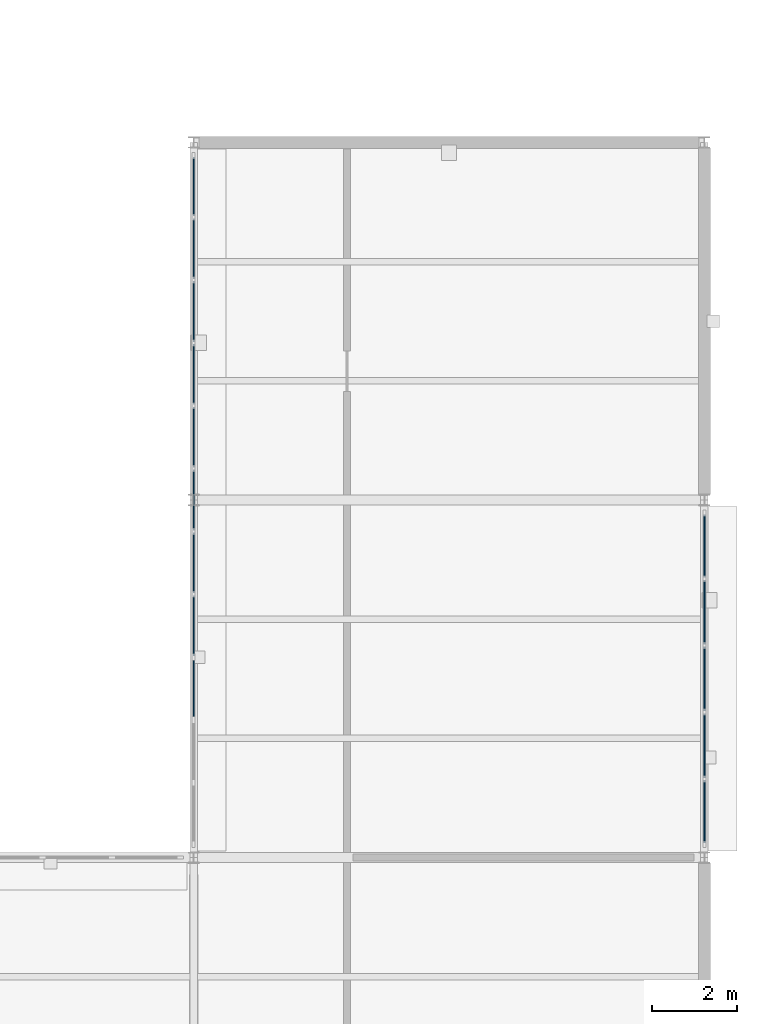
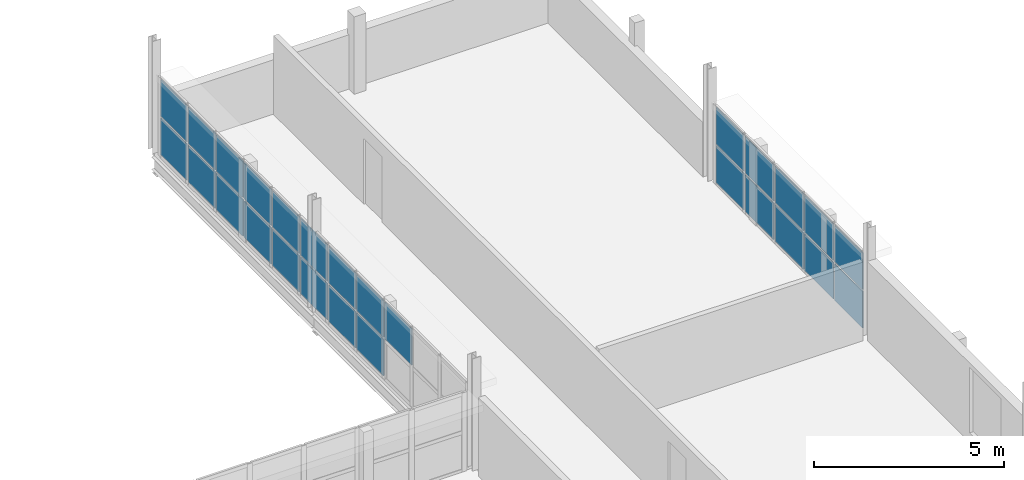
# One storey, part 53 of 79: 27 plates, 2 elements without a shape of their own.
"""IFC4 building model written with IfcOpenShell, lengths in metres."""

import ifcopenshell
import ifcopenshell.guid

model = None  # the IFC model being written
_history = None  # IfcOwnerHistory: only IFC2X3 demands one
_inside = {}  # id of a spatial element -> (the spatial element, [elements in it])
_under = {}  # id of a project, library or spatial element -> (it, [spatial elements below it])
_declared = {}  # id of a project -> (the project, [libraries it declares])
_typed = {}  # id of a type object -> (the type object, [elements of that type])
_made_of = {}  # id of a material, layer set ... -> (it, [elements and type objects made of it])


def new_model(schema):
    """Start an empty IFC model of exactly this schema.

    Asked for "IFC4X3", IfcOpenShell would pick the latest addendum, in which some entities
    have other attributes; the version numbers below select the first issue.
    IFC2X3 requires an IfcOwnerHistory on every rooted entity: one is made here for all.
    """
    global model, _history
    if schema == "IFC4X3":
        model = ifcopenshell.file(schema_version=(4, 3, 0, 0))
    else:
        model = ifcopenshell.file(schema=schema)
    _inside.clear()
    _under.clear()
    _declared.clear()
    _typed.clear()
    _made_of.clear()
    _history = None
    if model.schema == "IFC2X3":
        org = make("IfcOrganization", Name="unknown")
        user = make(
            "IfcPersonAndOrganization",
            ThePerson=make("IfcPerson", FamilyName="unknown"),
            TheOrganization=org,
        )
        app = make(
            "IfcApplication",
            ApplicationDeveloper=org,
            Version="unknown",
            ApplicationFullName="unknown",
            ApplicationIdentifier="unknown",
        )
        _history = make(
            "IfcOwnerHistory",
            OwningUser=user,
            OwningApplication=app,
            ChangeAction="ADDED",
            CreationDate=0,
        )
    return model


def make(cls, **values):
    """One entity of the class cls with the attributes given. An attribute that is None is left unset."""
    return model.create_entity(
        cls, **{name: value for name, value in values.items() if value is not None}
    )


def rooted(cls, **values):
    """An entity with a GlobalId (a new one), such as an element, a storey or a relation."""
    return make(cls, GlobalId=ifcopenshell.guid.new(), OwnerHistory=_history, **values)


def si_unit(unit_type, name, prefix=None):
    """IfcSIUnit, for example si_unit("LENGTHUNIT", "METRE", prefix="MILLI")."""
    return make("IfcSIUnit", UnitType=unit_type, Prefix=prefix, Name=name)


def assignment(units):
    """IfcUnitAssignment: the units of a project."""
    return None if units is None else make("IfcUnitAssignment", Units=units)


def point(xyz):
    """IfcCartesianPoint."""
    return None if xyz is None else make("IfcCartesianPoint", Coordinates=xyz)


def direction(xyz):
    """IfcDirection."""
    return None if xyz is None else make("IfcDirection", DirectionRatios=xyz)


def frame(location, z_axis=None, x_axis=None):
    """IfcAxis2Placement3D, a coordinate frame: its origin and axes. An axis left out is left unset."""
    return make(
        "IfcAxis2Placement3D",
        Location=point(location),
        Axis=direction(z_axis),
        RefDirection=direction(x_axis),
    )


def frame_2d(location, x_axis=None):
    """IfcAxis2Placement2D, a coordinate frame in the plane: its origin and x axis."""
    return make(
        "IfcAxis2Placement2D", Location=point(location), RefDirection=direction(x_axis)
    )


def origin():
    """The frame at (0, 0, 0) with its axes left unset."""
    return frame((0.0, 0.0, 0.0))


def origin_2d():
    """The frame at (0, 0) in the plane with its x axis left unset."""
    return frame_2d((0.0, 0.0))


def place(relative_to, where):
    """IfcLocalPlacement: puts the frame where relative to a parent placement (None: the world)."""
    return make(
        "IfcLocalPlacement", PlacementRelTo=relative_to, RelativePlacement=where
    )


def context(
    kind, dimensions, precision=None, world=None, true_north=None, identifier=None
):
    """IfcGeometricRepresentationContext, for example the 3D "Model" context."""
    return make(
        "IfcGeometricRepresentationContext",
        ContextIdentifier=identifier,
        ContextType=kind,
        CoordinateSpaceDimension=dimensions,
        Precision=precision,
        WorldCoordinateSystem=world,
        TrueNorth=true_north,
    )


def subcontext(parent, identifier, kind, view, scale=None):
    """IfcGeometricRepresentationSubContext, for example "Body" below "Model"."""
    return make(
        "IfcGeometricRepresentationSubContext",
        ContextIdentifier=identifier,
        ContextType=kind,
        ParentContext=parent,
        TargetScale=scale,
        TargetView=view,
    )


def project(units=None, contexts=None):
    """IfcProject with its units and contexts."""
    return rooted(
        "IfcProject",
        Name="project",
        RepresentationContexts=contexts,
        UnitsInContext=assignment(units),
    )


def spatial(cls, under=None, at=None, **own):
    """A site, building, storey or space (cls), placed at a placement, below another one or the project."""
    s = rooted(cls, ObjectPlacement=at, **own)
    if under is not None:
        _under.setdefault(under.id(), (under, []))[1].append(s)
    return s


def profile(cls, at=None, kind="AREA", **sizes):
    """A parametric profile (cls). Its sizes go by their IFC names, for example OverallWidth=200.0."""
    return make(cls, ProfileType=kind, Position=at, **sizes)


def rectangle(**sizes):
    """IfcRectangleProfileDef."""
    return profile("IfcRectangleProfileDef", **sizes)


def extrude(swept, where, along, depth):
    """IfcExtrudedAreaSolid: the profile swept, set in the frame where, extruded along a direction by depth."""
    return make(
        "IfcExtrudedAreaSolid",
        SweptArea=swept,
        Position=where,
        ExtrudedDirection=direction(along),
        Depth=depth,
    )


def shape(context_of_items, identifier, shape_type, items):
    """IfcShapeRepresentation: the items that make up one representation, for example the "Body"."""
    return make(
        "IfcShapeRepresentation",
        ContextOfItems=context_of_items,
        RepresentationIdentifier=identifier,
        RepresentationType=shape_type,
        Items=items,
    )


def material(Name=None, Category=None):
    """IfcMaterial."""
    return make("IfcMaterial", Name=Name, Category=Category)


def layer(
    of_material, thickness, ventilated=None, Name=None, Category=None, Priority=None
):
    """IfcMaterialLayer: one layer of a wall or slab, of a material (None: an air gap)."""
    return make(
        "IfcMaterialLayer",
        Material=of_material,
        LayerThickness=thickness,
        IsVentilated=ventilated,
        Name=Name,
        Category=Category,
        Priority=Priority,
    )


def layer_set(layers, Name=None):
    """IfcMaterialLayerSet."""
    return make("IfcMaterialLayerSet", MaterialLayers=layers, LayerSetName=Name)


def made_of(thing, what):
    """Note that an element or type object is made of a material, layer set ...; save() writes the relation."""
    if what is not None:
        _made_of.setdefault(what.id(), (what, []))[1].append(thing)
    return thing


def type_object(cls, material=None, **own):
    """A type object (cls), such as IfcWallType, which elements share."""
    return made_of(rooted(cls, **own), material)


def element(
    cls,
    number,
    at=None,
    inside=None,
    cuts=None,
    type_object=None,
    material=None,
    context=None,
    identifier="Body",
    shape_type=None,
    held_by="IfcProductDefinitionShape",
    body=None,
    shapes=None,
    **own,
):
    """One element of the class cls, such as IfcWall. Its Tag is "e" and its number.

    at: its placement. inside: the storey or other place that contains it. cuts: it is an
    opening in that element (IfcRelVoidsElement). A single representation is given by context,
    identifier, shape_type and body (its items); several are given by shapes. held_by: the class
    of the entity that holds the representations. save() writes the other relations.
    """
    e = rooted(cls, Tag="e%d" % number, ObjectPlacement=at, **own)
    if body is not None:
        shapes = [shape(context, identifier, shape_type, body)]
    if shapes is not None:
        e.Representation = make(held_by, Representations=shapes)
    if inside is not None:
        _inside.setdefault(inside.id(), (inside, []))[1].append(e)
    if cuts is not None:
        rooted(
            "IfcRelVoidsElement", RelatingBuildingElement=cuts, RelatedOpeningElement=e
        )
    if type_object is not None:
        _typed.setdefault(type_object.id(), (type_object, []))[1].append(e)
    return made_of(e, material)


def aggregate(whole, parts):
    """IfcRelAggregates: a whole, such as a stair, and the parts it consists of."""
    return rooted("IfcRelAggregates", RelatingObject=whole, RelatedObjects=parts)


def save(model, path):
    """Write the relations noted so far, then the file.

    IfcRelAggregates (storeys below a building ...), IfcRelContainedInSpatialStructure (elements
    in a storey), IfcRelDefinesByType, IfcRelAssociatesMaterial and IfcRelDeclares: one each for
    every whole, place, type object, material and project.
    """
    for whole, parts in _under.values():
        aggregate(whole, parts)
    for where, things in _inside.values():
        rooted(
            "IfcRelContainedInSpatialStructure",
            RelatedElements=things,
            RelatingStructure=where,
        )
    for kind, things in _typed.values():
        rooted("IfcRelDefinesByType", RelatedObjects=things, RelatingType=kind)
    for what, things in _made_of.values():
        rooted("IfcRelAssociatesMaterial", RelatedObjects=things, RelatingMaterial=what)
    for by, libraries in _declared.values():
        rooted("IfcRelDeclares", RelatingContext=by, RelatedDefinitions=libraries)
    model.write(path)


model = new_model("IFC4")

# Units and contexts
model_context = context("Model", 3, precision=1e-05, world=origin(), true_north=direction((0.0, 1.0)))
body_context = subcontext(model_context, "Body", "Model", "MODEL_VIEW")
ifc_project = project(units=[si_unit("LENGTHUNIT", "METRE"), si_unit("AREAUNIT", "SQUARE_METRE"), si_unit("VOLUMEUNIT", "CUBIC_METRE"), si_unit("PLANEANGLEUNIT", "RADIAN"), si_unit("MASSUNIT", "GRAM", prefix="KILO"), si_unit("THERMODYNAMICTEMPERATUREUNIT", "KELVIN"), si_unit("POWERUNIT", "WATT")], contexts=[model_context])

# Site, building, storey
site_placement = place(None, origin())
site = spatial("IfcSite", under=ifc_project, at=site_placement, CompositionType="ELEMENT")
building_placement = place(site_placement, origin())
building = spatial("IfcBuilding", under=site, at=building_placement, Name="Tembeka Court Mobility Hub", CompositionType="ELEMENT")
storey_placement = place(building_placement, frame((0.0, 0.0, 9.0)))
storey = spatial("IfcBuildingStorey", under=building, at=storey_placement, Name="L02", CompositionType="ELEMENT", Elevation=9.0)

# Curtain wall, plates
ifc_material_1 = material(Name="Anodised aluminium 6063-T6", Category="aluminium")
ifc_layer_1 = layer(ifc_material_1, 0.159912109375)
ifc_layer_set_1 = layer_set([ifc_layer_1], Name="Anodised aluminium 6063-T6")
curtain_wall_type_1 = type_object("IfcCurtainWallType", Name="CW-SYS45", PredefinedType="USERDEFINED", material=ifc_layer_set_1)
curtain_wall_1_placement = place(storey_placement, origin())
curtain_wall_1 = element("IfcCurtainWall", 1, at=curtain_wall_1_placement, inside=storey, type_object=curtain_wall_type_1, Name="Unitised curtain wall CW45 (CW-L02-126)", ObjectType="UNITISED GLAZING", PredefinedType="USERDEFINED")
ifc_material_2 = material(Name="Laminated solar-control low-E glass", Category="glass")
ifc_layer_2 = layer(ifc_material_2, 0.028076171875)
ifc_layer_set_2 = layer_set([ifc_layer_2], Name="Laminated solar-control low-E glass")
plate_type = type_object("IfcPlateType", Name="PL-CW01", PredefinedType="CURTAIN_PANEL", material=ifc_layer_set_2)
plate_1_placement = place(storey_placement, frame((176.39990234375, 47.88037109375, 0.06494140625), z_axis=(0.0, 0.0, 1.0), x_axis=(0.0, 1.0, 0.0)))
plate_1 = element("IfcPlate", 2, at=plate_1_placement, type_object=plate_type, Name="CW45 panel 1.1", PredefinedType="CURTAIN_PANEL", context=body_context, shape_type="SweptSolid", body=[
    extrude(rectangle(XDim=1.470458984375, YDim=0.028076171875, at=origin_2d()), origin(), (0.0, 0.0, 1.0), 1.169921875),
])
plate_2_placement = place(storey_placement, frame((176.39990234375, 47.88037109375, 1.300048828125), z_axis=(0.0, 0.0, 1.0), x_axis=(0.0, 1.0, 0.0)))
plate_2 = element("IfcPlate", 3, at=plate_2_placement, type_object=plate_type, Name="CW45 panel 1.2", PredefinedType="CURTAIN_PANEL", context=body_context, shape_type="SweptSolid", body=[
    extrude(rectangle(XDim=1.470458984375, YDim=0.028076171875, at=origin_2d()), origin(), (0.0, 0.0, 1.0), 1.169921875),
])
plate_3_placement = place(storey_placement, frame((176.39990234375, 49.431884765625, 0.06494140625), z_axis=(0.0, 0.0, 1.0), x_axis=(0.0, 1.0, 0.0)))
plate_3 = element("IfcPlate", 4, at=plate_3_placement, type_object=plate_type, Name="CW45 panel 2.1", PredefinedType="CURTAIN_PANEL", context=body_context, shape_type="SweptSolid", body=[
    extrude(rectangle(XDim=1.5029296875, YDim=0.028076171875, at=origin_2d()), origin(), (0.0, 0.0, 1.0), 1.169921875),
])
plate_4_placement = place(storey_placement, frame((176.39990234375, 49.431884765625, 1.300048828125), z_axis=(0.0, 0.0, 1.0), x_axis=(0.0, 1.0, 0.0)))
plate_4 = element("IfcPlate", 5, at=plate_4_placement, type_object=plate_type, Name="CW45 panel 2.2", PredefinedType="CURTAIN_PANEL", context=body_context, shape_type="SweptSolid", body=[
    extrude(rectangle(XDim=1.5029296875, YDim=0.028076171875, at=origin_2d()), origin(), (0.0, 0.0, 1.0), 1.169921875),
])
plate_5_placement = place(storey_placement, frame((176.39990234375, 51.0, 0.06494140625), z_axis=(0.0, 0.0, 1.0), x_axis=(0.0, 1.0, 0.0)))
plate_5 = element("IfcPlate", 6, at=plate_5_placement, type_object=plate_type, Name="CW45 panel 3.1", PredefinedType="CURTAIN_PANEL", context=body_context, shape_type="SweptSolid", body=[
    extrude(rectangle(XDim=1.5029296875, YDim=0.028076171875, at=origin_2d()), origin(), (0.0, 0.0, 1.0), 1.169921875),
])
plate_6_placement = place(storey_placement, frame((176.39990234375, 51.0, 1.300048828125), z_axis=(0.0, 0.0, 1.0), x_axis=(0.0, 1.0, 0.0)))
plate_6 = element("IfcPlate", 7, at=plate_6_placement, type_object=plate_type, Name="CW45 panel 3.2", PredefinedType="CURTAIN_PANEL", context=body_context, shape_type="SweptSolid", body=[
    extrude(rectangle(XDim=1.5029296875, YDim=0.028076171875, at=origin_2d()), origin(), (0.0, 0.0, 1.0), 1.169921875),
])
plate_7_placement = place(storey_placement, frame((176.39990234375, 52.568115234375, 0.06494140625), z_axis=(0.0, 0.0, 1.0), x_axis=(0.0, 1.0, 0.0)))
plate_7 = element("IfcPlate", 8, at=plate_7_placement, type_object=plate_type, Name="CW45 panel 4.1", PredefinedType="CURTAIN_PANEL", context=body_context, shape_type="SweptSolid", body=[
    extrude(rectangle(XDim=1.5029296875, YDim=0.028076171875, at=origin_2d()), origin(), (0.0, 0.0, 1.0), 1.169921875),
])
plate_8_placement = place(storey_placement, frame((176.39990234375, 52.568115234375, 1.300048828125), z_axis=(0.0, 0.0, 1.0), x_axis=(0.0, 1.0, 0.0)))
plate_8 = element("IfcPlate", 9, at=plate_8_placement, type_object=plate_type, Name="CW45 panel 4.2", PredefinedType="CURTAIN_PANEL", context=body_context, shape_type="SweptSolid", body=[
    extrude(rectangle(XDim=1.5029296875, YDim=0.028076171875, at=origin_2d()), origin(), (0.0, 0.0, 1.0), 1.169921875),
])
plate_9_placement = place(storey_placement, frame((176.39990234375, 54.11962890625, 0.06494140625), z_axis=(0.0, 0.0, 1.0), x_axis=(0.0, 1.0, 0.0)))
plate_9 = element("IfcPlate", 10, at=plate_9_placement, type_object=plate_type, Name="CW45 panel 5.1", PredefinedType="CURTAIN_PANEL", context=body_context, shape_type="SweptSolid", body=[
    extrude(rectangle(XDim=1.470458984375, YDim=0.028076171875, at=origin_2d()), origin(), (0.0, 0.0, 1.0), 1.169921875),
])
plate_10_placement = place(storey_placement, frame((176.39990234375, 54.11962890625, 1.300048828125), z_axis=(0.0, 0.0, 1.0), x_axis=(0.0, 1.0, 0.0)))
plate_10 = element("IfcPlate", 11, at=plate_10_placement, type_object=plate_type, Name="CW45 panel 5.2", PredefinedType="CURTAIN_PANEL", context=body_context, shape_type="SweptSolid", body=[
    extrude(rectangle(XDim=1.470458984375, YDim=0.028076171875, at=origin_2d()), origin(), (0.0, 0.0, 1.0), 1.169921875),
])
aggregate(curtain_wall_1, [plate_1, plate_2, plate_3, plate_4, plate_5, plate_6, plate_7, plate_8, plate_9, plate_10])

ifc_layer_3 = layer(ifc_material_1, 0.159912109375)
ifc_layer_set_3 = layer_set([ifc_layer_3], Name="Anodised aluminium 6063-T6")
curtain_wall_type_2 = type_object("IfcCurtainWallType", Name="CW-SYS46", PredefinedType="USERDEFINED", material=ifc_layer_set_3)
curtain_wall_2_placement = place(storey_placement, origin())
curtain_wall_2 = element("IfcCurtainWall", 12, at=curtain_wall_2_placement, inside=storey, type_object=curtain_wall_type_2, Name="Unitised curtain wall CW46 (CW-L02-127)", ObjectType="UNITISED GLAZING", PredefinedType="USERDEFINED")
plate_11_placement = place(storey_placement, frame((164.39990234375, 50.77099609375, 1.300048828125), z_axis=(0.0, 0.0, 1.0), x_axis=(0.0, 1.0, 0.0)))
plate_11 = element("IfcPlate", 13, at=plate_11_placement, type_object=plate_type, Name="CW46 panel 3.2", PredefinedType="CURTAIN_PANEL", context=body_context, shape_type="SweptSolid", body=[
    extrude(rectangle(XDim=1.411376953125, YDim=0.028076171875, at=origin_2d()), origin(), (0.0, 0.0, 1.0), 1.169921875),
])
plate_12_placement = place(storey_placement, frame((164.39990234375, 52.247314453125, 0.06494140625), z_axis=(0.0, 0.0, 1.0), x_axis=(0.0, 1.0, 0.0)))
plate_12 = element("IfcPlate", 14, at=plate_12_placement, type_object=plate_type, Name="CW46 panel 4.1", PredefinedType="CURTAIN_PANEL", context=body_context, shape_type="SweptSolid", body=[
    extrude(rectangle(XDim=1.411376953125, YDim=0.028076171875, at=origin_2d()), origin(), (0.0, 0.0, 1.0), 1.169921875),
])
plate_13_placement = place(storey_placement, frame((164.39990234375, 52.247314453125, 1.300048828125), z_axis=(0.0, 0.0, 1.0), x_axis=(0.0, 1.0, 0.0)))
plate_13 = element("IfcPlate", 15, at=plate_13_placement, type_object=plate_type, Name="CW46 panel 4.2", PredefinedType="CURTAIN_PANEL", context=body_context, shape_type="SweptSolid", body=[
    extrude(rectangle(XDim=1.411376953125, YDim=0.028076171875, at=origin_2d()), origin(), (0.0, 0.0, 1.0), 1.169921875),
])
plate_14_placement = place(storey_placement, frame((164.39990234375, 53.7236328125, 0.06494140625), z_axis=(0.0, 0.0, 1.0), x_axis=(0.0, 1.0, 0.0)))
plate_14 = element("IfcPlate", 16, at=plate_14_placement, type_object=plate_type, Name="CW46 panel 5.1", PredefinedType="CURTAIN_PANEL", context=body_context, shape_type="SweptSolid", body=[
    extrude(rectangle(XDim=1.411376953125, YDim=0.028076171875, at=origin_2d()), origin(), (0.0, 0.0, 1.0), 1.169921875),
])
plate_15_placement = place(storey_placement, frame((164.39990234375, 53.7236328125, 1.300048828125), z_axis=(0.0, 0.0, 1.0), x_axis=(0.0, 1.0, 0.0)))
plate_15 = element("IfcPlate", 17, at=plate_15_placement, type_object=plate_type, Name="CW46 panel 5.2", PredefinedType="CURTAIN_PANEL", context=body_context, shape_type="SweptSolid", body=[
    extrude(rectangle(XDim=1.411376953125, YDim=0.028076171875, at=origin_2d()), origin(), (0.0, 0.0, 1.0), 1.169921875),
])
plate_16_placement = place(storey_placement, frame((164.39990234375, 55.199951171875, 0.06494140625), z_axis=(0.0, 0.0, 1.0), x_axis=(0.0, 1.0, 0.0)))
plate_16 = element("IfcPlate", 18, at=plate_16_placement, type_object=plate_type, Name="CW46 panel 6.1", PredefinedType="CURTAIN_PANEL", context=body_context, shape_type="SweptSolid", body=[
    extrude(rectangle(XDim=1.411376953125, YDim=0.028076171875, at=origin_2d()), origin(), (0.0, 0.0, 1.0), 1.169921875),
])
plate_17_placement = place(storey_placement, frame((164.39990234375, 55.199951171875, 1.300048828125), z_axis=(0.0, 0.0, 1.0), x_axis=(0.0, 1.0, 0.0)))
plate_17 = element("IfcPlate", 19, at=plate_17_placement, type_object=plate_type, Name="CW46 panel 6.2", PredefinedType="CURTAIN_PANEL", context=body_context, shape_type="SweptSolid", body=[
    extrude(rectangle(XDim=1.411376953125, YDim=0.028076171875, at=origin_2d()), origin(), (0.0, 0.0, 1.0), 1.169921875),
])
plate_18_placement = place(storey_placement, frame((164.39990234375, 56.67626953125, 0.06494140625), z_axis=(0.0, 0.0, 1.0), x_axis=(0.0, 1.0, 0.0)))
plate_18 = element("IfcPlate", 20, at=plate_18_placement, type_object=plate_type, Name="CW46 panel 7.1", PredefinedType="CURTAIN_PANEL", context=body_context, shape_type="SweptSolid", body=[
    extrude(rectangle(XDim=1.411376953125, YDim=0.028076171875, at=origin_2d()), origin(), (0.0, 0.0, 1.0), 1.169921875),
])
plate_19_placement = place(storey_placement, frame((164.39990234375, 56.67626953125, 1.300048828125), z_axis=(0.0, 0.0, 1.0), x_axis=(0.0, 1.0, 0.0)))
plate_19 = element("IfcPlate", 21, at=plate_19_placement, type_object=plate_type, Name="CW46 panel 7.2", PredefinedType="CURTAIN_PANEL", context=body_context, shape_type="SweptSolid", body=[
    extrude(rectangle(XDim=1.411376953125, YDim=0.028076171875, at=origin_2d()), origin(), (0.0, 0.0, 1.0), 1.169921875),
])
plate_20_placement = place(storey_placement, frame((164.39990234375, 58.15283203125, 0.06494140625), z_axis=(0.0, 0.0, 1.0), x_axis=(0.0, 1.0, 0.0)))
plate_20 = element("IfcPlate", 22, at=plate_20_placement, type_object=plate_type, Name="CW46 panel 8.1", PredefinedType="CURTAIN_PANEL", context=body_context, shape_type="SweptSolid", body=[
    extrude(rectangle(XDim=1.411376953125, YDim=0.028076171875, at=origin_2d()), origin(), (0.0, 0.0, 1.0), 1.169921875),
])
plate_21_placement = place(storey_placement, frame((164.39990234375, 58.15283203125, 1.300048828125), z_axis=(0.0, 0.0, 1.0), x_axis=(0.0, 1.0, 0.0)))
plate_21 = element("IfcPlate", 23, at=plate_21_placement, type_object=plate_type, Name="CW46 panel 8.2", PredefinedType="CURTAIN_PANEL", context=body_context, shape_type="SweptSolid", body=[
    extrude(rectangle(XDim=1.411376953125, YDim=0.028076171875, at=origin_2d()), origin(), (0.0, 0.0, 1.0), 1.169921875),
])
plate_22_placement = place(storey_placement, frame((164.39990234375, 59.629150390625, 0.06494140625), z_axis=(0.0, 0.0, 1.0), x_axis=(0.0, 1.0, 0.0)))
plate_22 = element("IfcPlate", 24, at=plate_22_placement, type_object=plate_type, Name="CW46 panel 9.1", PredefinedType="CURTAIN_PANEL", context=body_context, shape_type="SweptSolid", body=[
    extrude(rectangle(XDim=1.411376953125, YDim=0.028076171875, at=origin_2d()), origin(), (0.0, 0.0, 1.0), 1.169921875),
])
plate_23_placement = place(storey_placement, frame((164.39990234375, 59.629150390625, 1.300048828125), z_axis=(0.0, 0.0, 1.0), x_axis=(0.0, 1.0, 0.0)))
plate_23 = element("IfcPlate", 25, at=plate_23_placement, type_object=plate_type, Name="CW46 panel 9.2", PredefinedType="CURTAIN_PANEL", context=body_context, shape_type="SweptSolid", body=[
    extrude(rectangle(XDim=1.411376953125, YDim=0.028076171875, at=origin_2d()), origin(), (0.0, 0.0, 1.0), 1.169921875),
])
plate_24_placement = place(storey_placement, frame((164.39990234375, 61.10546875, 0.06494140625), z_axis=(0.0, 0.0, 1.0), x_axis=(0.0, 1.0, 0.0)))
plate_24 = element("IfcPlate", 26, at=plate_24_placement, type_object=plate_type, Name="CW46 panel 10.1", PredefinedType="CURTAIN_PANEL", context=body_context, shape_type="SweptSolid", body=[
    extrude(rectangle(XDim=1.411376953125, YDim=0.028076171875, at=origin_2d()), origin(), (0.0, 0.0, 1.0), 1.169921875),
])
plate_25_placement = place(storey_placement, frame((164.39990234375, 61.10546875, 1.300048828125), z_axis=(0.0, 0.0, 1.0), x_axis=(0.0, 1.0, 0.0)))
plate_25 = element("IfcPlate", 27, at=plate_25_placement, type_object=plate_type, Name="CW46 panel 10.2", PredefinedType="CURTAIN_PANEL", context=body_context, shape_type="SweptSolid", body=[
    extrude(rectangle(XDim=1.411376953125, YDim=0.028076171875, at=origin_2d()), origin(), (0.0, 0.0, 1.0), 1.169921875),
])
plate_26_placement = place(storey_placement, frame((164.39990234375, 62.565673828125, 0.06494140625), z_axis=(0.0, 0.0, 1.0), x_axis=(0.0, 1.0, 0.0)))
plate_26 = element("IfcPlate", 28, at=plate_26_placement, type_object=plate_type, Name="CW46 panel 11.1", PredefinedType="CURTAIN_PANEL", context=body_context, shape_type="SweptSolid", body=[
    extrude(rectangle(XDim=1.37890625, YDim=0.028076171875, at=origin_2d()), origin(), (0.0, 0.0, 1.0), 1.169921875),
])
plate_27_placement = place(storey_placement, frame((164.39990234375, 62.565673828125, 1.300048828125), z_axis=(0.0, 0.0, 1.0), x_axis=(0.0, 1.0, 0.0)))
plate_27 = element("IfcPlate", 29, at=plate_27_placement, type_object=plate_type, Name="CW46 panel 11.2", PredefinedType="CURTAIN_PANEL", context=body_context, shape_type="SweptSolid", body=[
    extrude(rectangle(XDim=1.37890625, YDim=0.028076171875, at=origin_2d()), origin(), (0.0, 0.0, 1.0), 1.169921875),
])
aggregate(curtain_wall_2, [plate_11, plate_12, plate_13, plate_14, plate_15, plate_16, plate_17, plate_18, plate_19, plate_20, plate_21, plate_22, plate_23, plate_24, plate_25, plate_26, plate_27])

save(model, "model.ifc")
